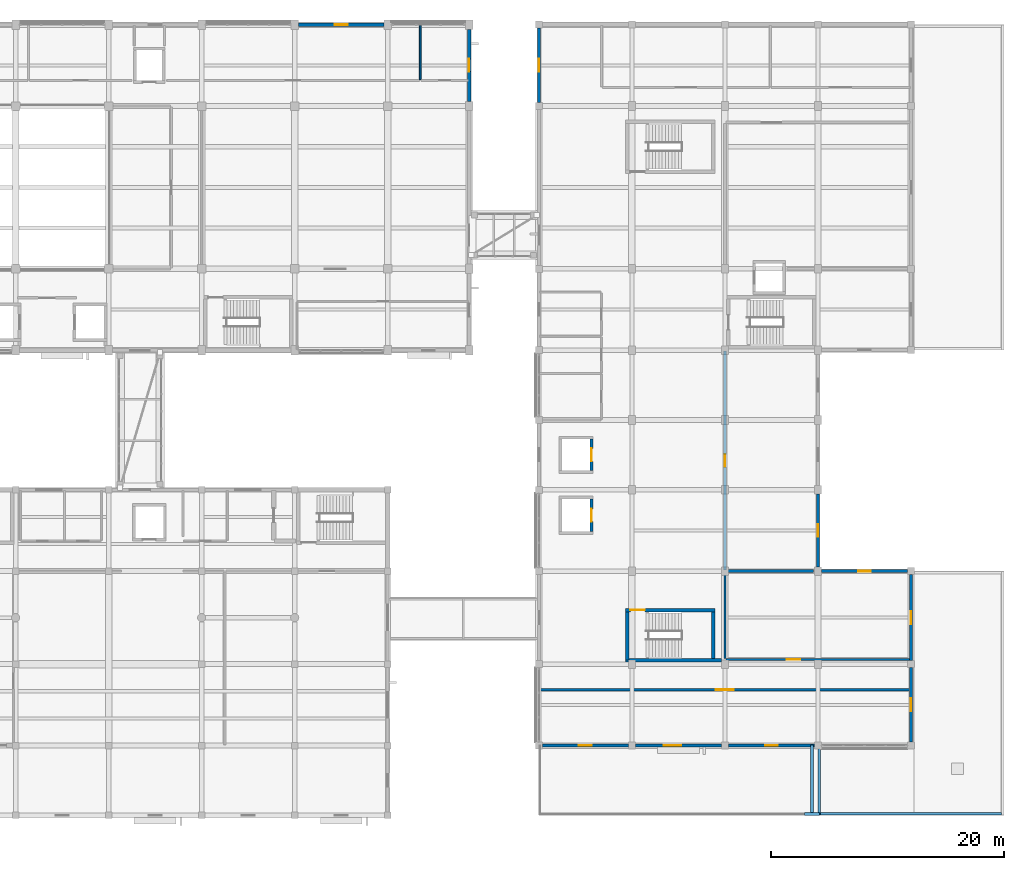
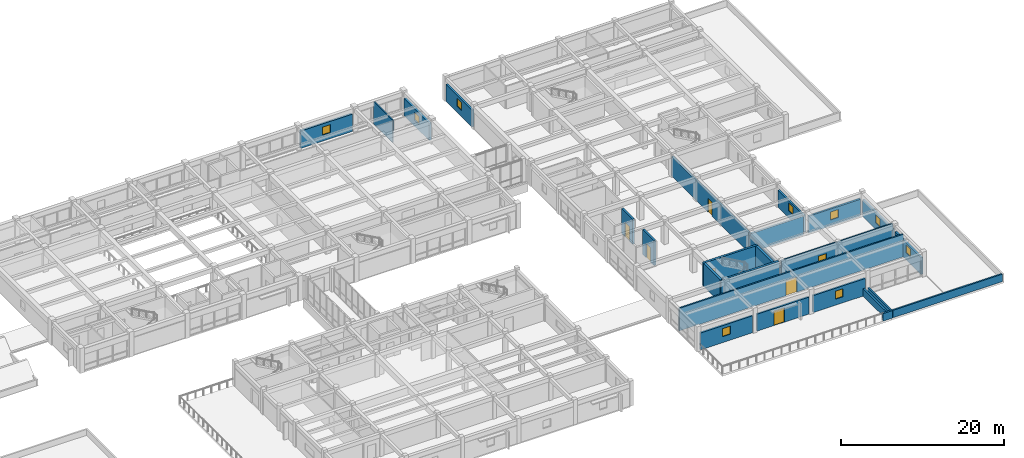
# One storey, part 32 of 42: 26 walls, 9 windows, 7 doors, 16 openings.
"""IFC4 building model written with IfcOpenShell, lengths in metres."""

from ifc_helpers import new_model, si_unit, direction, frame, frame_2d, origin, place, context, subcontext, project, spatial, rectangle, extrude, material, layer, layer_set, type_object, element, fill, save


model = new_model("IFC4")

# Units and contexts
model_context = context("Model", 3, precision=1e-05, world=origin(), true_north=direction((0.0, 1.0)))
body_context = subcontext(model_context, "Body", "Model", "MODEL_VIEW")
ifc_project = project(units=[si_unit("LENGTHUNIT", "METRE"), si_unit("AREAUNIT", "SQUARE_METRE"), si_unit("VOLUMEUNIT", "CUBIC_METRE"), si_unit("PLANEANGLEUNIT", "RADIAN"), si_unit("MASSUNIT", "GRAM", prefix="KILO")], contexts=[model_context])

# Site, building, storey
site_placement = place(None, origin())
site = spatial("IfcSite", under=ifc_project, at=site_placement, CompositionType="ELEMENT")
building_placement = place(site_placement, origin())
building = spatial("IfcBuilding", under=site, at=building_placement, Name="Naurynzar Civic Courthouse", CompositionType="ELEMENT")
storey_placement = place(building_placement, frame((0.0, 0.0, 18.300048828125)))
storey = spatial("IfcBuildingStorey", under=building, at=storey_placement, Name="L05", CompositionType="ELEMENT", Elevation=18.300048828125)

# Wall, opening, door
ifc_material_1 = material(Name="Acoustic Double-Stud Gypsum Partition")
ifc_layer_1 = layer(ifc_material_1, 0.2099609375)
ifc_layer_set_1 = layer_set([ifc_layer_1], Name="WL-ACOUSTIC-210")
wall_type_1 = type_object("IfcWallType", Name="WL-ACOUSTIC-210", PredefinedType="PARTITIONING", material=ifc_layer_set_1)
wall_1_placement = place(storey_placement, frame((130.080078125, 14.800048828125, 0.0), z_axis=(0.0, 0.0, 1.0), x_axis=(1.0, 0.0, 0.0)))
wall_1 = element("IfcWall", 1, at=wall_1_placement, inside=storey, type_object=wall_type_1, Name="V5 interior partition L05.576", PredefinedType="PARTITIONING", context=body_context, shape_type="SweptSolid", body=[
    extrude(rectangle(XDim=31.83984375, YDim=0.2099609375, at=frame_2d((15.919921875, 0.0))), origin(), (0.0, 0.0, 1.0), 3.389892578125),
])
opening_1_placement = place(wall_1_placement, frame((15.14501953125, 0.0, 0.0)))
opening_1 = element("IfcOpeningElement", 2, at=opening_1_placement, cuts=wall_1, Name="Opening D-338", PredefinedType="OPENING", context=body_context, shape_type="SweptSolid", body=[
    extrude(rectangle(XDim=1.550048828125, YDim=2.25, at=frame_2d((0.77490234375, 1.125))), frame((0.0, 0.114990234375, 0.0), z_axis=(0.0, -1.0, 0.0), x_axis=(1.0, 0.0, 0.0)), (0.0, 0.0, 1.0), 0.22998046875),
])
ifc_material_2 = material(Name="Acoustic Oak Timber Grade A", Category="wood")
door_type_1 = type_object("IfcDoorType", Name="DR-SUITE-1550x2250", OperationType="DOUBLE_DOOR_SINGLE_SWING", PredefinedType="DOOR", material=ifc_material_2)
door_1_placement = place(opening_1_placement, origin())
door_1 = element("IfcDoor", 3, at=door_1_placement, inside=storey, type_object=door_type_1, Name="Interior door D-338 (Serious Offences Courtroom L05-S)", OperationType="DOUBLE_DOOR_SINGLE_SWING", OverallHeight=2.25, OverallWidth=1.550048828125, PredefinedType="DOOR", context=body_context, shape_type="SweptSolid", body=[
    extrude(rectangle(XDim=1.550048828125, YDim=2.25, at=frame_2d((0.77490234375, 1.125))), frame((0.0, 0.02490234375, 0.0), z_axis=(0.0, -1.0, 0.0), x_axis=(1.0, 0.0, 0.0)), (0.0, 0.0, 1.0), 0.050048828125),
])
fill(opening_1, door_1)

ifc_material_3 = material(Name="Concrete C40/50", Category="concrete")
ifc_layer_2 = layer(ifc_material_3, 0.300048828125)
ifc_layer_set_2 = layer_set([ifc_layer_2], Name="WL-CORE-300")
wall_type_2 = type_object("IfcWallType", Name="WL-CORE-300", PredefinedType="SHEAR", material=ifc_layer_set_2)
wall_2_placement = place(storey_placement, frame((145.14990234375, 21.64990234375, 0.0), z_axis=(0.0, 0.0, 1.0), x_axis=(-1.0, 0.0, 0.0)))
wall_2 = element("IfcWall", 4, at=wall_2_placement, inside=storey, type_object=wall_type_2, Name="Stair ST-V5A enclosure wall north L05", PredefinedType="SHEAR", context=body_context, shape_type="SweptSolid", body=[
    extrude(rectangle(XDim=7.699951171875, YDim=0.300048828125, at=frame_2d((3.85009765625, 0.0))), origin(), (0.0, 0.0, 1.0), 3.469970703125),
])
opening_2_placement = place(wall_2_placement, frame((6.02490234375, 0.0, 0.0)))
opening_2 = element("IfcOpeningElement", 5, at=opening_2_placement, cuts=wall_2, Name="Opening SD-064", PredefinedType="OPENING", context=body_context, shape_type="SweptSolid", body=[
    extrude(rectangle(XDim=1.25, YDim=2.14990234375, at=frame_2d((0.625, 1.074951171875))), frame((0.0, 0.159912109375, 0.0), z_axis=(0.0, -1.0, 0.0), x_axis=(1.0, 0.0, 0.0)), (0.0, 0.0, 1.0), 0.320068359375),
])
ifc_material_4 = material(Name="Powder-Coated Galvanised Steel", Category="steel")
door_type_2 = type_object("IfcDoorType", Name="DR-STAIR-1250x2150", OperationType="NOTDEFINED", PredefinedType="DOOR", material=ifc_material_4)
door_2_placement = place(opening_2_placement, origin())
door_2 = element("IfcDoor", 6, at=door_2_placement, inside=storey, type_object=door_type_2, Name="Stair ST-V5A fire door L05", OperationType="SINGLE_SWING_RIGHT", OverallHeight=2.14990234375, OverallWidth=1.25, PredefinedType="DOOR", context=body_context, shape_type="SweptSolid", body=[
    extrude(rectangle(XDim=1.25, YDim=2.14990234375, at=frame_2d((0.625, 1.074951171875))), frame((0.0, 0.02490234375, 0.0), z_axis=(0.0, -1.0, 0.0), x_axis=(1.0, 0.0, 0.0)), (0.0, 0.0, 1.0), 0.050048828125),
])
fill(opening_2, door_2)

# Walls
wall_3_placement = place(storey_placement, frame((137.449951171875, 17.35009765625, 0.0), z_axis=(0.0, 0.0, 1.0), x_axis=(1.0, 0.0, 0.0)))
element("IfcWall", 7, at=wall_3_placement, inside=storey, type_object=wall_type_2, Name="Stair ST-V5A enclosure wall south L05", PredefinedType="SHEAR", context=body_context, shape_type="SweptSolid", body=[
    extrude(rectangle(XDim=8.27001953125, YDim=0.300048828125, at=frame_2d((4.135009765625, 0.0))), origin(), (0.0, 0.0, 1.0), 3.469970703125),
])
wall_4_placement = place(storey_placement, frame((137.60009765625, 21.4951171875, 0.0), z_axis=(0.0, 0.0, 1.0), x_axis=(0.0, -1.0, 0.0)))
element("IfcWall", 8, at=wall_4_placement, inside=storey, type_object=wall_type_2, Name="Stair ST-V5A enclosure wall west L05", PredefinedType="SHEAR", context=body_context, shape_type="SweptSolid", body=[
    extrude(rectangle(XDim=4.14013671875, YDim=0.300048828125, at=frame_2d((2.070068359375, 0.0))), origin(), (0.0, 0.0, 1.0), 3.469970703125),
])
wall_5_placement = place(storey_placement, frame((145.0, 17.5048828125, 0.0), z_axis=(0.0, 0.0, 1.0), x_axis=(0.0, 1.0, 0.0)))
element("IfcWall", 9, at=wall_5_placement, inside=storey, type_object=wall_type_2, Name="Stair ST-V5A enclosure wall east L05", PredefinedType="SHEAR", context=body_context, shape_type="SweptSolid", body=[
    extrude(rectangle(XDim=3.990234375, YDim=0.300048828125, at=frame_2d((1.9951171875, 0.0))), origin(), (0.0, 0.0, 1.0), 3.469970703125),
])
ifc_material_5 = material(Name="Concrete C40/50", Category="concrete")
ifc_layer_3 = layer(ifc_material_5, 0.260009765625)
ifc_layer_set_3 = layer_set([ifc_layer_3], Name="WL-CUS-260")
wall_type_3 = type_object("IfcWallType", Name="WL-CUS-260", PredefinedType="SOLIDWALL", material=ifc_layer_set_3)
wall_6_placement = place(storey_placement, frame((146.080078125, 25.0, 0.0), z_axis=(0.0, 0.0, 1.0), x_axis=(1.0, 0.0, 0.0)))
element("IfcWall", 10, at=wall_6_placement, inside=storey, type_object=wall_type_3, Name="V5 interior partition L05.584", PredefinedType="SOLIDWALL", context=body_context, shape_type="SweptSolid", body=[
    extrude(rectangle(XDim=7.52001953125, YDim=0.260009765625, at=frame_2d((3.760009765625, 0.0))), origin(), (0.0, 0.0, 1.0), 2.820068359375),
])

# Wall, opening, door
wall_7_placement = place(storey_placement, frame((146.0, 25.080078125, 0.0), z_axis=(0.0, 0.0, 1.0), x_axis=(0.0, 1.0, 0.0)))
wall_7 = element("IfcWall", 11, at=wall_7_placement, inside=storey, type_object=wall_type_3, Name="V5 interior partition L05.646", PredefinedType="SOLIDWALL", context=body_context, shape_type="SweptSolid", body=[
    extrude(rectangle(XDim=18.83984375, YDim=0.260009765625, at=frame_2d((9.419921875, 0.0))), origin(), (0.0, 0.0, 1.0), 2.969970703125),
])
opening_3_placement = place(wall_7_placement, frame((8.8798828125, 0.0, 0.0)))
opening_3 = element("IfcOpeningElement", 12, at=opening_3_placement, cuts=wall_7, Name="Opening D-340", PredefinedType="OPENING", context=body_context, shape_type="SweptSolid", body=[
    extrude(rectangle(XDim=1.080078125, YDim=2.10009765625, at=frame_2d((0.5400390625, 1.050048828125))), frame((0.0, 0.139892578125, 0.0), z_axis=(0.0, -1.0, 0.0), x_axis=(1.0, 0.0, 0.0)), (0.0, 0.0, 1.0), 0.280029296875),
])
ifc_material_6 = material(Name="Powder-Coated Galvanised Steel", Category="steel")
door_type_3 = type_object("IfcDoorType", Name="DR-CUS-CELL-1080x2100", OperationType="NOTDEFINED", PredefinedType="DOOR", material=ifc_material_6)
door_3_placement = place(opening_3_placement, origin())
door_3 = element("IfcDoor", 13, at=door_3_placement, inside=storey, type_object=door_type_3, Name="Interior door D-340 (Custody Suite Dock Holding L05)", OperationType="SINGLE_SWING_RIGHT", OverallHeight=2.10009765625, OverallWidth=1.080078125, PredefinedType="DOOR", context=body_context, shape_type="SweptSolid", body=[
    extrude(rectangle(XDim=1.080078125, YDim=2.10009765625, at=frame_2d((0.5400390625, 1.050048828125))), frame((0.0, 0.02490234375, 0.0), z_axis=(0.0, -1.0, 0.0), x_axis=(1.0, 0.0, 0.0)), (0.0, 0.0, 1.0), 0.050048828125),
])
fill(opening_3, door_3)

# Wall, opening, window
ifc_material_7 = material(Name="Precast concrete C40/50", Category="concrete")
ifc_layer_4 = layer(ifc_material_7, 0.260009765625)
ifc_layer_set_4 = layer_set([ifc_layer_4], Name="WL-EXT-260")
wall_type_4 = type_object("IfcWallType", Name="WL-EXT-260", PredefinedType="SOLIDWALL", material=ifc_layer_set_4)
wall_8_placement = place(storey_placement, frame((130.0, 65.300048828125, 0.0), z_axis=(0.0, 0.0, 1.0), x_axis=(0.0, 1.0, 0.0)))
wall_8 = element("IfcWall", 14, at=wall_8_placement, inside=storey, type_object=wall_type_4, Name="V5 exterior wall west L05.8.1", PredefinedType="SOLIDWALL", context=body_context, shape_type="SweptSolid", body=[
    extrude(rectangle(XDim=6.39990234375, YDim=0.260009765625, at=frame_2d((3.199951171875, 0.0))), origin(), (0.0, 0.0, 1.0), 2.550048828125),
])
opening_4_placement = place(wall_8_placement, frame((2.64990234375, 0.0, 0.89990234375)))
opening_4 = element("IfcOpeningElement", 15, at=opening_4_placement, cuts=wall_8, Name="Opening WN-15", PredefinedType="OPENING", context=body_context, shape_type="SweptSolid", body=[
    extrude(rectangle(XDim=1.10009765625, YDim=1.199951171875, at=frame_2d((0.550048828125, 0.60009765625))), frame((0.0, 0.139892578125, 0.0), z_axis=(0.0, -1.0, 0.0), x_axis=(1.0, 0.0, 0.0)), (0.0, 0.0, 1.0), 0.280029296875),
])
ifc_material_8 = material(Name="Tempered Laminated Low-E Glass", Category="glass")
window_type = type_object("IfcWindowType", Name="WIN-SEC-1100x1200", PartitioningType="SINGLE_PANEL", PredefinedType="WINDOW", material=ifc_material_8)
window_1_placement = place(opening_4_placement, origin())
window_1 = element("IfcWindow", 16, at=window_1_placement, inside=storey, type_object=window_type, Name="V5 window 323 L05", OverallHeight=1.199951171875, OverallWidth=1.10009765625, PartitioningType="SINGLE_PANEL", PredefinedType="WINDOW", context=body_context, shape_type="SweptSolid", body=[
    extrude(rectangle(XDim=1.10009765625, YDim=1.199951171875, at=frame_2d((0.550048828125, 0.60009765625))), frame((0.0, 0.030029296875, 0.0), z_axis=(0.0, -1.0, 0.0), x_axis=(1.0, 0.0, 0.0)), (0.0, 0.0, 1.0), 0.06005859375),
])
fill(opening_4, window_1)

wall_9_placement = place(storey_placement, frame((154.0, 31.625, 0.0), z_axis=(0.0, 0.0, 1.0), x_axis=(0.0, -1.0, 0.0)))
wall_9 = element("IfcWall", 17, at=wall_9_placement, inside=storey, type_object=wall_type_4, Name="V5 exterior wall notch_w L05.3.1", PredefinedType="SOLIDWALL", context=body_context, shape_type="SweptSolid", body=[
    extrude(rectangle(XDim=6.25, YDim=0.260009765625, at=frame_2d((3.125, 0.0))), origin(), (0.0, 0.0, 1.0), 2.550048828125),
])
opening_5_placement = place(wall_9_placement, frame((2.574951171875, 0.0, 1.0)))
opening_5 = element("IfcOpeningElement", 18, at=opening_5_placement, cuts=wall_9, Name="Opening WN-15", PredefinedType="OPENING", context=body_context, shape_type="SweptSolid", body=[
    extrude(rectangle(XDim=1.10009765625, YDim=1.199951171875, at=frame_2d((0.550048828125, 0.60009765625))), frame((0.0, 0.139892578125, 0.0), z_axis=(0.0, -1.0, 0.0), x_axis=(1.0, 0.0, 0.0)), (0.0, 0.0, 1.0), 0.280029296875),
])
window_2_placement = place(opening_5_placement, origin())
window_2 = element("IfcWindow", 19, at=window_2_placement, inside=storey, type_object=window_type, Name="V5 window 330 L05", OverallHeight=1.199951171875, OverallWidth=1.10009765625, PartitioningType="SINGLE_PANEL", PredefinedType="WINDOW", context=body_context, shape_type="SweptSolid", body=[
    extrude(rectangle(XDim=1.10009765625, YDim=1.199951171875, at=frame_2d((0.550048828125, 0.60009765625))), frame((0.0, 0.030029296875, 0.0), z_axis=(0.0, -1.0, 0.0), x_axis=(1.0, 0.0, 0.0)), (0.0, 0.0, 1.0), 0.06005859375),
])
fill(opening_5, window_2)

wall_10_placement = place(storey_placement, frame((154.300048828125, 25.0, 0.0), z_axis=(0.0, 0.0, 1.0), x_axis=(1.0, 0.0, 0.0)))
wall_10 = element("IfcWall", 20, at=wall_10_placement, inside=storey, type_object=wall_type_4, Name="V5 exterior wall notch_s L05.1.1", PredefinedType="SOLIDWALL", context=body_context, shape_type="SweptSolid", body=[
    extrude(rectangle(XDim=7.39990234375, YDim=0.260009765625, at=frame_2d((3.699951171875, 0.0))), origin(), (0.0, 0.0, 1.0), 2.550048828125),
])
opening_6_placement = place(wall_10_placement, frame((3.14990234375, 0.0, 0.89990234375)))
opening_6 = element("IfcOpeningElement", 21, at=opening_6_placement, cuts=wall_10, Name="Opening WN-15", PredefinedType="OPENING", context=body_context, shape_type="SweptSolid", body=[
    extrude(rectangle(XDim=1.10009765625, YDim=1.199951171875, at=frame_2d((0.550048828125, 0.60009765625))), frame((0.0, 0.139892578125, 0.0), z_axis=(0.0, -1.0, 0.0), x_axis=(1.0, 0.0, 0.0)), (0.0, 0.0, 1.0), 0.280029296875),
])
window_3_placement = place(opening_6_placement, origin())
window_3 = element("IfcWindow", 22, at=window_3_placement, inside=storey, type_object=window_type, Name="V5 window 331 L05", OverallHeight=1.199951171875, OverallWidth=1.10009765625, PartitioningType="SINGLE_PANEL", PredefinedType="WINDOW", context=body_context, shape_type="SweptSolid", body=[
    extrude(rectangle(XDim=1.10009765625, YDim=1.199951171875, at=frame_2d((0.550048828125, 0.60009765625))), frame((0.0, 0.030029296875, 0.0), z_axis=(0.0, -1.0, 0.0), x_axis=(1.0, 0.0, 0.0)), (0.0, 0.0, 1.0), 0.06005859375),
])
fill(opening_6, window_3)

wall_11_placement = place(storey_placement, frame((162.0, 24.699951171875, 0.0), z_axis=(0.0, 0.0, 1.0), x_axis=(0.0, -1.0, 0.0)))
wall_11 = element("IfcWall", 23, at=wall_11_placement, inside=storey, type_object=wall_type_4, Name="V5 exterior wall east_south L05.1.1", PredefinedType="SOLIDWALL", context=body_context, shape_type="SweptSolid", body=[
    extrude(rectangle(XDim=7.39990234375, YDim=0.260009765625, at=frame_2d((3.699951171875, 0.0))), origin(), (0.0, 0.0, 1.0), 2.550048828125),
])
opening_7_placement = place(wall_11_placement, frame((3.14990234375, 0.0, 1.0)))
opening_7 = element("IfcOpeningElement", 24, at=opening_7_placement, cuts=wall_11, Name="Opening WN-15", PredefinedType="OPENING", context=body_context, shape_type="SweptSolid", body=[
    extrude(rectangle(XDim=1.10009765625, YDim=1.199951171875, at=frame_2d((0.550048828125, 0.60009765625))), frame((0.0, 0.139892578125, 0.0), z_axis=(0.0, -1.0, 0.0), x_axis=(1.0, 0.0, 0.0)), (0.0, 0.0, 1.0), 0.280029296875),
])
window_4_placement = place(opening_7_placement, origin())
window_4 = element("IfcWindow", 25, at=window_4_placement, inside=storey, type_object=window_type, Name="V5 window 332 L05", OverallHeight=1.199951171875, OverallWidth=1.10009765625, PartitioningType="SINGLE_PANEL", PredefinedType="WINDOW", context=body_context, shape_type="SweptSolid", body=[
    extrude(rectangle(XDim=1.10009765625, YDim=1.199951171875, at=frame_2d((0.550048828125, 0.60009765625))), frame((0.0, 0.030029296875, 0.0), z_axis=(0.0, -1.0, 0.0), x_axis=(1.0, 0.0, 0.0)), (0.0, 0.0, 1.0), 0.06005859375),
])
fill(opening_7, window_4)

wall_12_placement = place(storey_placement, frame((162.0, 16.699951171875, 0.0), z_axis=(0.0, 0.0, 1.0), x_axis=(0.0, -1.0, 0.0)))
wall_12 = element("IfcWall", 26, at=wall_12_placement, inside=storey, type_object=wall_type_4, Name="V5 exterior wall east_south L05.2.1", PredefinedType="SOLIDWALL", context=body_context, shape_type="SweptSolid", body=[
    extrude(rectangle(XDim=6.39990234375, YDim=0.260009765625, at=frame_2d((3.199951171875, 0.0))), origin(), (0.0, 0.0, 1.0), 2.550048828125),
])
opening_8_placement = place(wall_12_placement, frame((2.64990234375, 0.0, 1.0)))
opening_8 = element("IfcOpeningElement", 27, at=opening_8_placement, cuts=wall_12, Name="Opening WN-15", PredefinedType="OPENING", context=body_context, shape_type="SweptSolid", body=[
    extrude(rectangle(XDim=1.10009765625, YDim=1.199951171875, at=frame_2d((0.550048828125, 0.60009765625))), frame((0.0, 0.139892578125, 0.0), z_axis=(0.0, -1.0, 0.0), x_axis=(1.0, 0.0, 0.0)), (0.0, 0.0, 1.0), 0.280029296875),
])
window_5_placement = place(opening_8_placement, origin())
window_5 = element("IfcWindow", 28, at=window_5_placement, inside=storey, type_object=window_type, Name="V5 window 333 L05", OverallHeight=1.199951171875, OverallWidth=1.10009765625, PartitioningType="SINGLE_PANEL", PredefinedType="WINDOW", context=body_context, shape_type="SweptSolid", body=[
    extrude(rectangle(XDim=1.10009765625, YDim=1.199951171875, at=frame_2d((0.550048828125, 0.60009765625))), frame((0.0, 0.030029296875, 0.0), z_axis=(0.0, -1.0, 0.0), x_axis=(1.0, 0.0, 0.0)), (0.0, 0.0, 1.0), 0.06005859375),
])
fill(opening_8, window_5)

wall_13_placement = place(storey_placement, frame((153.699951171875, 10.0, 0.0), z_axis=(0.0, 0.0, 1.0), x_axis=(-1.0, 0.0, 0.0)))
wall_13 = element("IfcWall", 29, at=wall_13_placement, inside=storey, type_object=wall_type_4, Name="V5 exterior wall south L05.2.1", PredefinedType="SOLIDWALL", context=body_context, shape_type="SweptSolid", body=[
    extrude(rectangle(XDim=7.39990234375, YDim=0.260009765625, at=frame_2d((3.699951171875, 0.0))), origin(), (0.0, 0.0, 1.0), 2.550048828125),
])
opening_9_placement = place(wall_13_placement, frame((3.14990234375, 0.0, 0.89990234375)))
opening_9 = element("IfcOpeningElement", 30, at=opening_9_placement, cuts=wall_13, Name="Opening WN-15", PredefinedType="OPENING", context=body_context, shape_type="SweptSolid", body=[
    extrude(rectangle(XDim=1.10009765625, YDim=1.199951171875, at=frame_2d((0.550048828125, 0.60009765625))), frame((0.0, 0.139892578125, 0.0), z_axis=(0.0, -1.0, 0.0), x_axis=(1.0, 0.0, 0.0)), (0.0, 0.0, 1.0), 0.280029296875),
])
window_6_placement = place(opening_9_placement, origin())
window_6 = element("IfcWindow", 31, at=window_6_placement, inside=storey, type_object=window_type, Name="V5 window 334 L05", OverallHeight=1.199951171875, OverallWidth=1.10009765625, PartitioningType="SINGLE_PANEL", PredefinedType="WINDOW", context=body_context, shape_type="SweptSolid", body=[
    extrude(rectangle(XDim=1.10009765625, YDim=1.199951171875, at=frame_2d((0.550048828125, 0.60009765625))), frame((0.0, 0.030029296875, 0.0), z_axis=(0.0, -1.0, 0.0), x_axis=(1.0, 0.0, 0.0)), (0.0, 0.0, 1.0), 0.06005859375),
])
fill(opening_9, window_6)

# Wall, opening, door
wall_14_placement = place(storey_placement, frame((145.699951171875, 10.0, 0.0), z_axis=(0.0, 0.0, 1.0), x_axis=(-1.0, 0.0, 0.0)))
wall_14 = element("IfcWall", 32, at=wall_14_placement, inside=storey, type_object=wall_type_4, Name="V5 exterior wall south L05.3.1", PredefinedType="SOLIDWALL", context=body_context, shape_type="SweptSolid", body=[
    extrude(rectangle(XDim=7.39990234375, YDim=0.260009765625, at=frame_2d((3.699951171875, 0.0))), origin(), (0.0, 0.0, 1.0), 2.550048828125),
])
opening_10_placement = place(wall_14_placement, frame((3.449951171875, 0.0, 0.0)))
opening_10 = element("IfcOpeningElement", 33, at=opening_10_placement, cuts=wall_14, Name="Opening TD-04", PredefinedType="OPENING", context=body_context, shape_type="SweptSolid", body=[
    extrude(rectangle(XDim=1.5, YDim=2.199951171875, at=frame_2d((0.75, 1.10009765625))), frame((0.0, 0.139892578125, 0.0), z_axis=(0.0, -1.0, 0.0), x_axis=(1.0, 0.0, 0.0)), (0.0, 0.0, 1.0), 0.280029296875),
])
ifc_material_9 = material(Name="Aluminium 6063-T6", Category="aluminium")
door_type_4 = type_object("IfcDoorType", Name="DR-TERR-1500x2200", OperationType="NOTDEFINED", PredefinedType="DOOR", material=ifc_material_9)
door_4_placement = place(opening_10_placement, origin())
door_4 = element("IfcDoor", 34, at=door_4_placement, inside=storey, type_object=door_type_4, Name="Roof garden terrace door TD-04", OperationType="SINGLE_SWING_LEFT", OverallHeight=2.199951171875, OverallWidth=1.5, PredefinedType="DOOR", context=body_context, shape_type="SweptSolid", body=[
    extrude(rectangle(XDim=1.5, YDim=2.199951171875, at=frame_2d((0.75, 1.10009765625))), frame((0.0, 0.02490234375, 0.0), z_axis=(0.0, -1.0, 0.0), x_axis=(1.0, 0.0, 0.0)), (0.0, 0.0, 1.0), 0.050048828125),
])
fill(opening_10, door_4)

# Wall, opening, window
wall_15_placement = place(storey_placement, frame((137.699951171875, 10.0, 0.0), z_axis=(0.0, 0.0, 1.0), x_axis=(-1.0, 0.0, 0.0)))
wall_15 = element("IfcWall", 35, at=wall_15_placement, inside=storey, type_object=wall_type_4, Name="V5 exterior wall south L05.4.1", PredefinedType="SOLIDWALL", context=body_context, shape_type="SweptSolid", body=[
    extrude(rectangle(XDim=7.39990234375, YDim=0.260009765625, at=frame_2d((3.699951171875, 0.0))), origin(), (0.0, 0.0, 1.0), 2.550048828125),
])
opening_11_placement = place(wall_15_placement, frame((3.14990234375, 0.0, 0.89990234375)))
opening_11 = element("IfcOpeningElement", 36, at=opening_11_placement, cuts=wall_15, Name="Opening WN-15", PredefinedType="OPENING", context=body_context, shape_type="SweptSolid", body=[
    extrude(rectangle(XDim=1.10009765625, YDim=1.199951171875, at=frame_2d((0.550048828125, 0.60009765625))), frame((0.0, 0.139892578125, 0.0), z_axis=(0.0, -1.0, 0.0), x_axis=(1.0, 0.0, 0.0)), (0.0, 0.0, 1.0), 0.280029296875),
])
window_7_placement = place(opening_11_placement, origin())
window_7 = element("IfcWindow", 37, at=window_7_placement, inside=storey, type_object=window_type, Name="V5 window 335 L05", OverallHeight=1.199951171875, OverallWidth=1.10009765625, PartitioningType="SINGLE_PANEL", PredefinedType="WINDOW", context=body_context, shape_type="SweptSolid", body=[
    extrude(rectangle(XDim=1.10009765625, YDim=1.199951171875, at=frame_2d((0.550048828125, 0.60009765625))), frame((0.0, 0.030029296875, 0.0), z_axis=(0.0, -1.0, 0.0), x_axis=(1.0, 0.0, 0.0)), (0.0, 0.0, 1.0), 0.06005859375),
])
fill(opening_11, window_7)

ifc_material_10 = material(Name="Precast concrete C40/50", Category="concrete")
ifc_layer_5 = layer(ifc_material_10, 0.300048828125)
ifc_layer_set_5 = layer_set([ifc_layer_5], Name="WL-EXT-300")
wall_type_5 = type_object("IfcWallType", Name="WL-EXT-300", PredefinedType="SOLIDWALL", material=ifc_layer_set_5)
wall_16_placement = place(storey_placement, frame((109.324951171875, 72.0, 0.0), z_axis=(0.0, 0.0, 1.0), x_axis=(1.0, 0.0, 0.0)))
wall_16 = element("IfcWall", 38, at=wall_16_placement, inside=storey, type_object=wall_type_5, Name="V2 exterior wall north L05.7.1", PredefinedType="SOLIDWALL", context=body_context, shape_type="SweptSolid", body=[
    extrude(rectangle(XDim=7.35009765625, YDim=0.300048828125, at=frame_2d((3.675048828125, 0.0))), origin(), (0.0, 0.0, 1.0), 2.599853515625),
])
opening_12_placement = place(wall_16_placement, frame((3.125, 0.0, 0.89990234375)))
opening_12 = element("IfcOpeningElement", 39, at=opening_12_placement, cuts=wall_16, Name="Opening WN-15", PredefinedType="OPENING", context=body_context, shape_type="SweptSolid", body=[
    extrude(rectangle(XDim=1.10009765625, YDim=1.199951171875, at=frame_2d((0.550048828125, 0.60009765625))), frame((0.0, 0.159912109375, 0.0), z_axis=(0.0, -1.0, 0.0), x_axis=(1.0, 0.0, 0.0)), (0.0, 0.0, 1.0), 0.320068359375),
])
window_8_placement = place(opening_12_placement, origin())
window_8 = element("IfcWindow", 40, at=window_8_placement, inside=storey, type_object=window_type, Name="V2 window 88 L05", OverallHeight=1.199951171875, OverallWidth=1.10009765625, PartitioningType="SINGLE_PANEL", PredefinedType="WINDOW", context=body_context, shape_type="SweptSolid", body=[
    extrude(rectangle(XDim=1.10009765625, YDim=1.199951171875, at=frame_2d((0.550048828125, 0.60009765625))), frame((0.0, 0.030029296875, 0.0), z_axis=(0.0, -1.0, 0.0), x_axis=(1.0, 0.0, 0.0)), (0.0, 0.0, 1.0), 0.06005859375),
])
fill(opening_12, window_8)

wall_17_placement = place(storey_placement, frame((124.0, 71.60009765625, 0.0), z_axis=(0.0, 0.0, 1.0), x_axis=(0.0, -1.0, 0.0)))
wall_17 = element("IfcWall", 41, at=wall_17_placement, inside=storey, type_object=wall_type_5, Name="V2 exterior wall east L05.1.1", PredefinedType="SOLIDWALL", context=body_context, shape_type="SweptSolid", body=[
    extrude(rectangle(XDim=6.2001953125, YDim=0.300048828125, at=frame_2d((3.10009765625, 0.0))), origin(), (0.0, 0.0, 1.0), 2.599853515625),
])
opening_13_placement = place(wall_17_placement, frame((2.550048828125, 0.0, 0.89990234375)))
opening_13 = element("IfcOpeningElement", 42, at=opening_13_placement, cuts=wall_17, Name="Opening WN-15", PredefinedType="OPENING", context=body_context, shape_type="SweptSolid", body=[
    extrude(rectangle(XDim=1.10009765625, YDim=1.199951171875, at=frame_2d((0.550048828125, 0.60009765625))), frame((0.0, 0.159912109375, 0.0), z_axis=(0.0, -1.0, 0.0), x_axis=(1.0, 0.0, 0.0)), (0.0, 0.0, 1.0), 0.320068359375),
])
window_9_placement = place(opening_13_placement, origin())
window_9 = element("IfcWindow", 43, at=window_9_placement, inside=storey, type_object=window_type, Name="V2 window 89 L05", OverallHeight=1.199951171875, OverallWidth=1.10009765625, PartitioningType="SINGLE_PANEL", PredefinedType="WINDOW", context=body_context, shape_type="SweptSolid", body=[
    extrude(rectangle(XDim=1.10009765625, YDim=1.199951171875, at=frame_2d((0.550048828125, 0.60009765625))), frame((0.0, 0.030029296875, 0.0), z_axis=(0.0, -1.0, 0.0), x_axis=(1.0, 0.0, 0.0)), (0.0, 0.0, 1.0), 0.06005859375),
])
fill(opening_13, window_9)

# Walls
ifc_material_11 = material(Name="Precast concrete C40/50", Category="concrete")
ifc_layer_6 = layer(ifc_material_11, 0.219970703125)
ifc_layer_set_6 = layer_set([ifc_layer_6], Name="WL-PARA-220")
wall_type_6 = type_object("IfcWallType", Name="WL-PARA-220", PredefinedType="PARAPET", material=ifc_layer_set_6)
wall_18_placement = place(storey_placement, frame((154.1201171875, 4.010009765625, 0.0), z_axis=(0.0, 0.0, 1.0), x_axis=(0.0, 1.0, 0.0)))
element("IfcWall", 44, at=wall_18_placement, inside=storey, type_object=wall_type_6, Name="Roof perimeter parapet V5-SE5.22", PredefinedType="PARAPET", context=body_context, shape_type="SweptSolid", body=[
    extrude(rectangle(XDim=5.869873046875, YDim=0.219970703125, at=frame_2d((2.93505859375, 0.0))), origin(), (0.0, 0.0, 1.0), 1.119873046875),
])
wall_19_placement = place(storey_placement, frame((169.77001953125, 4.1201171875, 0.0), z_axis=(0.0, 0.0, 1.0), x_axis=(-1.0, 0.0, 0.0)))
element("IfcWall", 45, at=wall_19_placement, inside=storey, type_object=wall_type_6, Name="Roof perimeter parapet V5-SE5.25", PredefinedType="PARAPET", context=body_context, shape_type="SweptSolid", body=[
    extrude(rectangle(XDim=15.5400390625, YDim=0.219970703125, at=frame_2d((7.77001953125, 0.0))), origin(), (0.0, 0.0, 1.0), 1.119873046875),
])
ifc_material_12 = material(Name="Precast concrete C40/50", Category="concrete")
ifc_layer_7 = layer(ifc_material_12, 0.239990234375)
ifc_layer_set_7 = layer_set([ifc_layer_7], Name="WL-PARA-240")
wall_type_7 = type_object("IfcWallType", Name="WL-PARA-240", PredefinedType="PARAPET", material=ifc_layer_set_7)
wall_20_placement = place(storey_placement, frame((152.85009765625, 4.1201171875, 0.0), z_axis=(0.0, 0.0, 1.0), x_axis=(1.0, 0.0, 0.0)))
element("IfcWall", 46, at=wall_20_placement, inside=storey, type_object=wall_type_7, Name="V5 terrace to sally-port south parapet closure", PredefinedType="PARAPET", context=body_context, shape_type="SweptSolid", body=[
    extrude(rectangle(XDim=1.2998046875, YDim=0.239990234375, at=frame_2d((0.64990234375, 0.0))), origin(), (0.0, 0.0, 1.0), 1.119873046875),
])
wall_21_placement = place(storey_placement, frame((153.5, 4.1201171875, 0.0), z_axis=(0.0, 0.0, 1.0), x_axis=(0.0, 1.0, 0.0)))
element("IfcWall", 47, at=wall_21_placement, inside=storey, type_object=wall_type_7, Name="V5 terrace east divider parapet wall", PredefinedType="PARAPET", context=body_context, shape_type="SweptSolid", body=[
    extrude(rectangle(XDim=5.929931640625, YDim=0.239990234375, at=frame_2d((2.96484375, 0.0))), origin(), (0.0, 0.0, 1.0), 1.119873046875),
])
ifc_material_13 = material(Name="Insulated Metal-Stud Gypsum Partition")
ifc_layer_8 = layer(ifc_material_13, 0.159912109375)
ifc_layer_set_8 = layer_set([ifc_layer_8], Name="WL-PART-CHAMB-160")
wall_type_8 = type_object("IfcWallType", Name="WL-PART-CHAMB-160", PredefinedType="PARTITIONING", material=ifc_layer_set_8)
wall_22_placement = place(storey_placement, frame((119.800048828125, 67.280029296875, 0.0), z_axis=(0.0, 0.0, 1.0), x_axis=(0.0, 1.0, 0.0)))
element("IfcWall", 48, at=wall_22_placement, inside=storey, type_object=wall_type_8, Name="V2 interior partition L05.640", PredefinedType="PARTITIONING", context=body_context, shape_type="SweptSolid", body=[
    extrude(rectangle(XDim=4.639892578125, YDim=0.159912109375, at=frame_2d((2.31982421875, 0.0))), origin(), (0.0, 0.0, 1.0), 3.389892578125),
])

# Wall, opening, door
ifc_material_14 = material(Name="Acoustic Double-Stud Gypsum Partition")
ifc_layer_9 = layer(ifc_material_14, 0.179931640625)
ifc_layer_set_9 = layer_set([ifc_layer_9], Name="WL-PART-JURY-180")
wall_type_9 = type_object("IfcWallType", Name="WL-PART-JURY-180", PredefinedType="PARTITIONING", material=ifc_layer_set_9)
wall_23_placement = place(storey_placement, frame((146.080078125, 17.39990234375, 0.0), z_axis=(0.0, 0.0, 1.0), x_axis=(1.0, 0.0, 0.0)))
wall_23 = element("IfcWall", 49, at=wall_23_placement, inside=storey, type_object=wall_type_9, Name="V5 interior partition L05.577", PredefinedType="PARTITIONING", context=body_context, shape_type="SweptSolid", body=[
    extrude(rectangle(XDim=15.83984375, YDim=0.179931640625, at=frame_2d((7.919921875, 0.0))), origin(), (0.0, 0.0, 1.0), 3.389892578125),
])
opening_14_placement = place(wall_23_placement, frame((5.24658203125, 0.0, 0.0)))
opening_14 = element("IfcOpeningElement", 50, at=opening_14_placement, cuts=wall_23, Name="Opening D-339", PredefinedType="OPENING", context=body_context, shape_type="SweptSolid", body=[
    extrude(rectangle(XDim=1.14990234375, YDim=2.199951171875, at=frame_2d((0.574951171875, 1.10009765625))), frame((0.0, 0.099853515625, 0.0), z_axis=(0.0, -1.0, 0.0), x_axis=(1.0, 0.0, 0.0)), (0.0, 0.0, 1.0), 0.199951171875),
])
ifc_material_15 = material(Name="Acoustic Oak Timber Grade A", Category="wood")
door_type_5 = type_object("IfcDoorType", Name="DR-JURY-1150x2200", OperationType="NOTDEFINED", PredefinedType="DOOR", material=ifc_material_15)
door_5_placement = place(opening_14_placement, origin())
door_5 = element("IfcDoor", 51, at=door_5_placement, inside=storey, type_object=door_type_5, Name="Interior door D-339 (Jury Room L05-V5)", OperationType="SINGLE_SWING_LEFT", OverallHeight=2.199951171875, OverallWidth=1.14990234375, PredefinedType="DOOR", context=body_context, shape_type="SweptSolid", body=[
    extrude(rectangle(XDim=1.14990234375, YDim=2.199951171875, at=frame_2d((0.574951171875, 1.10009765625))), frame((0.0, 0.02490234375, 0.0), z_axis=(0.0, -1.0, 0.0), x_axis=(1.0, 0.0, 0.0)), (0.0, 0.0, 1.0), 0.050048828125),
])
fill(opening_14, door_5)

# Wall
wall_24_placement = place(storey_placement, frame((146.0, 17.47998046875, 0.0), z_axis=(0.0, 0.0, 1.0), x_axis=(0.0, 1.0, 0.0)))
element("IfcWall", 52, at=wall_24_placement, inside=storey, type_object=wall_type_9, Name="V5 interior partition L05.645", PredefinedType="PARTITIONING", context=body_context, shape_type="SweptSolid", body=[
    extrude(rectangle(XDim=7.43994140625, YDim=0.179931640625, at=frame_2d((3.719970703125, 0.0))), origin(), (0.0, 0.0, 1.0), 2.570068359375),
])

# Wall, opening, door
ifc_material_16 = material(Name="Concrete C40/50", Category="concrete")
ifc_layer_10 = layer(ifc_material_16, 0.25)
ifc_layer_set_10 = layer_set([ifc_layer_10], Name="WL-SHAFT-250")
wall_type_10 = type_object("IfcWallType", Name="WL-SHAFT-250", PredefinedType="SHEAR", material=ifc_layer_set_10)
wall_25_placement = place(storey_placement, frame((134.52490234375, 33.655029296875, 0.0), z_axis=(0.0, 0.0, 1.0), x_axis=(0.0, 1.0, 0.0)))
wall_25 = element("IfcWall", 53, at=wall_25_placement, inside=storey, type_object=wall_type_10, Name="Lift LP-05 shaft wall east L05", PredefinedType="SHEAR", context=body_context, shape_type="SweptSolid", body=[
    extrude(rectangle(XDim=2.68994140625, YDim=0.25, at=frame_2d((1.344970703125, 0.0))), origin(), (0.0, 0.0, 1.0), 3.75),
])
opening_15_placement = place(wall_25_placement, frame((0.794921875, 0.0, 0.0)))
opening_15 = element("IfcOpeningElement", 54, at=opening_15_placement, cuts=wall_25, Name="Opening LD-073", PredefinedType="OPENING", context=body_context, shape_type="SweptSolid", body=[
    extrude(rectangle(XDim=1.10009765625, YDim=2.14990234375, at=frame_2d((0.550048828125, 1.074951171875))), frame((0.0, 0.135009765625, 0.0), z_axis=(0.0, -1.0, 0.0), x_axis=(1.0, 0.0, 0.0)), (0.0, 0.0, 1.0), 0.27001953125),
])
ifc_material_17 = material(Name="Brushed Stainless Steel 304", Category="steel")
door_type_6 = type_object("IfcDoorType", Name="DR-LIFT-SLIDE-1100x2150", OperationType="DOUBLE_DOOR_SLIDING", PredefinedType="DOOR", material=ifc_material_17)
door_6_placement = place(opening_15_placement, origin())
door_6 = element("IfcDoor", 55, at=door_6_placement, inside=storey, type_object=door_type_6, Name="Lift LP-05 sliding landing door L05", OperationType="DOUBLE_DOOR_SLIDING", OverallHeight=2.14990234375, OverallWidth=1.10009765625, PredefinedType="DOOR", context=body_context, shape_type="SweptSolid", body=[
    extrude(rectangle(XDim=1.10009765625, YDim=2.14990234375, at=frame_2d((0.550048828125, 1.074951171875))), frame((0.0, 0.02490234375, 0.0), z_axis=(0.0, -1.0, 0.0), x_axis=(1.0, 0.0, 0.0)), (0.0, 0.0, 1.0), 0.050048828125),
])
fill(opening_15, door_6)

wall_26_placement = place(storey_placement, frame((134.52490234375, 28.405029296875, 0.0), z_axis=(0.0, 0.0, 1.0), x_axis=(0.0, 1.0, 0.0)))
wall_26 = element("IfcWall", 56, at=wall_26_placement, inside=storey, type_object=wall_type_10, Name="Lift LP-06 shaft wall east L05", PredefinedType="SHEAR", context=body_context, shape_type="SweptSolid", body=[
    extrude(rectangle(XDim=2.7900390625, YDim=0.25, at=frame_2d((1.39501953125, 0.0))), origin(), (0.0, 0.0, 1.0), 3.75),
])
opening_16_placement = place(wall_26_placement, frame((0.844970703125, 0.0, 0.0)))
opening_16 = element("IfcOpeningElement", 57, at=opening_16_placement, cuts=wall_26, Name="Opening LD-082", PredefinedType="OPENING", context=body_context, shape_type="SweptSolid", body=[
    extrude(rectangle(XDim=1.10009765625, YDim=2.14990234375, at=frame_2d((0.550048828125, 1.074951171875))), frame((0.0, 0.135009765625, 0.0), z_axis=(0.0, -1.0, 0.0), x_axis=(1.0, 0.0, 0.0)), (0.0, 0.0, 1.0), 0.27001953125),
])
door_7_placement = place(opening_16_placement, origin())
door_7 = element("IfcDoor", 58, at=door_7_placement, inside=storey, type_object=door_type_6, Name="Lift LP-06 sliding landing door L05", OperationType="DOUBLE_DOOR_SLIDING", OverallHeight=2.14990234375, OverallWidth=1.10009765625, PredefinedType="DOOR", context=body_context, shape_type="SweptSolid", body=[
    extrude(rectangle(XDim=1.10009765625, YDim=2.14990234375, at=frame_2d((0.550048828125, 1.074951171875))), frame((0.0, 0.02490234375, 0.0), z_axis=(0.0, -1.0, 0.0), x_axis=(1.0, 0.0, 0.0)), (0.0, 0.0, 1.0), 0.050048828125),
])
fill(opening_16, door_7)

save(model, "model.ifc")
